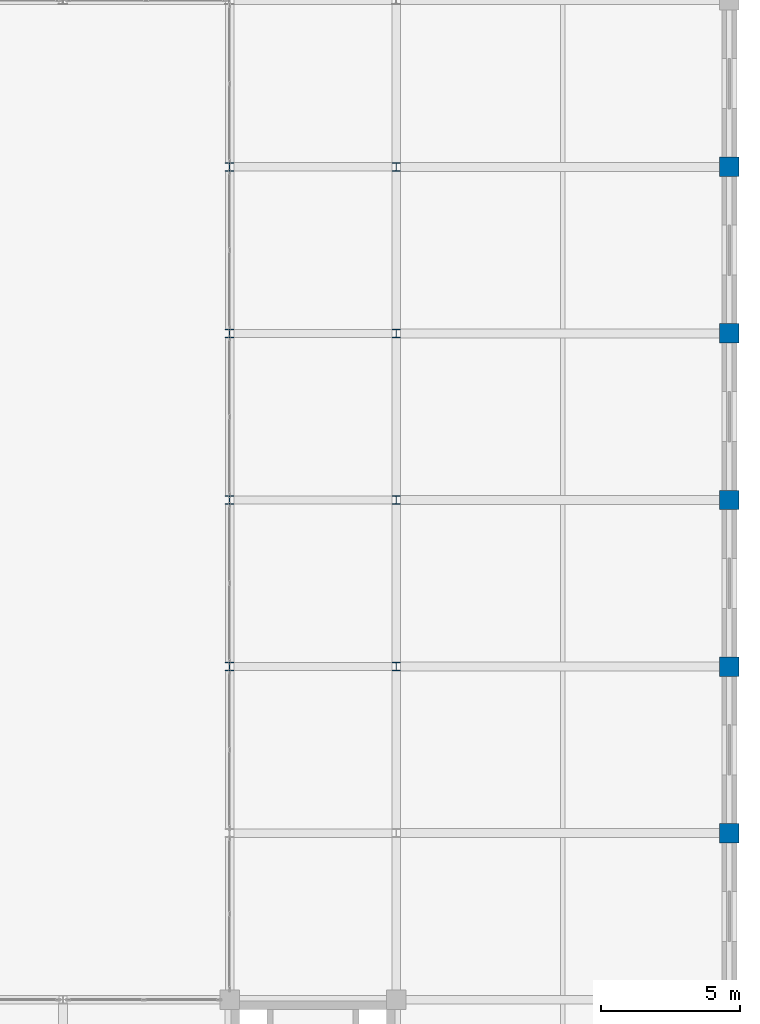
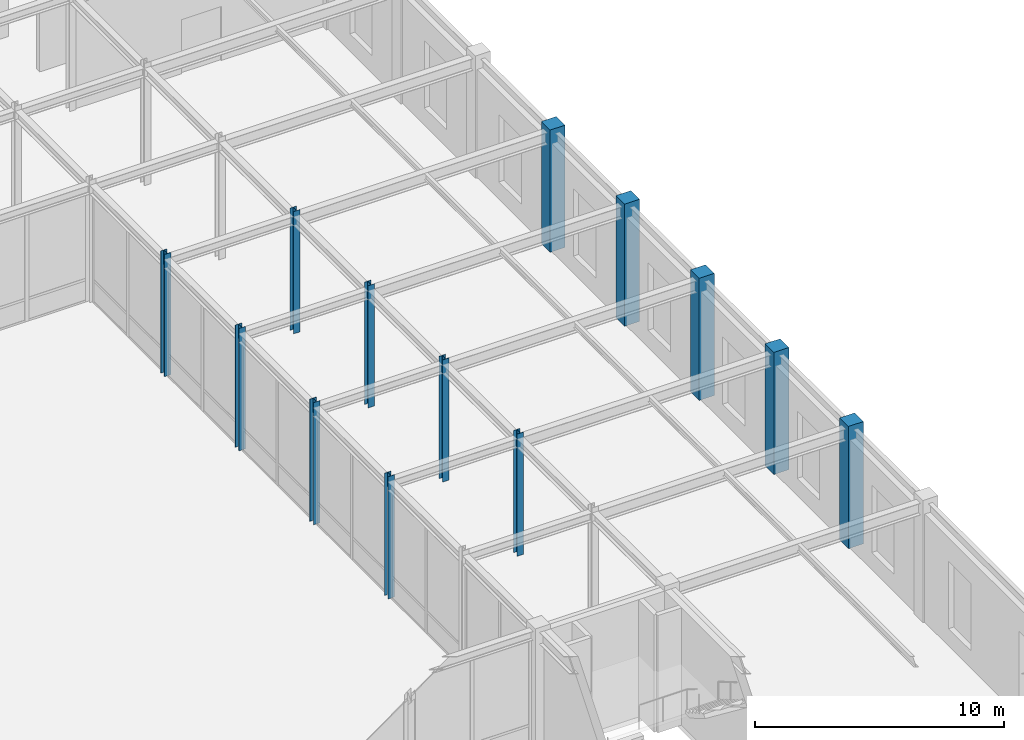
# One storey, part 23 of 108: 13 columns.
"""IFC4 building model written with IfcOpenShell, lengths in metres."""

from ifc_helpers import new_model, si_unit, direction, frame, origin, origin_2d, place, context, subcontext, project, spatial, rectangle, i_section, extrude, material, material_profile, profile_set, type_object, element, save


model = new_model("IFC4")

# Units and contexts
model_context = context("Model", 3, precision=1e-05, world=origin(), true_north=direction((0.0, 1.0)))
body_context = subcontext(model_context, "Body", "Model", "MODEL_VIEW")
ifc_project = project(units=[si_unit("LENGTHUNIT", "METRE"), si_unit("AREAUNIT", "SQUARE_METRE"), si_unit("VOLUMEUNIT", "CUBIC_METRE"), si_unit("PLANEANGLEUNIT", "RADIAN"), si_unit("MASSUNIT", "GRAM", prefix="KILO")], contexts=[model_context])

# Site, building, storey
site_placement = place(None, origin())
site = spatial("IfcSite", under=ifc_project, at=site_placement, CompositionType="ELEMENT")
building_placement = place(site_placement, origin())
building = spatial("IfcBuilding", under=site, at=building_placement, Name="Zlatovratsky Civic Hall", CompositionType="ELEMENT")
storey_placement = place(building_placement, frame((0.0, 0.0, 6.0)))
storey = spatial("IfcBuildingStorey", under=building, at=storey_placement, Name="L02", CompositionType="ELEMENT", Elevation=6.0)

# Columns
ifc_material_1 = material(Name="Concrete C35/45 (B40)", Category="concrete")
ifc_material_profile_1 = material_profile(ifc_material_1, rectangle(XDim=0.699951171875, YDim=0.699951171875, at=origin_2d()), Name="RC 700x700")
ifc_profile_set_1 = profile_set([ifc_material_profile_1], Name="Concrete C35/45 (B40)")
column_type_1 = type_object("IfcColumnType", Name="Col_CorePier_RC700", PredefinedType="COLUMN", material=ifc_profile_set_1)
for number, where, z_axis, x_axis, name in (
    (1, (168.0, 36.0, 0.0), (0.0, 0.0, 1.0), (1.0, 0.0, 0.0), "CL-0920"),
    (2, (168.0, 42.0, 0.0), (0.0, 0.0, 1.0), (1.0, 0.0, 0.0), "CL-0939"),
    (3, (168.0, 48.0, 0.0), (0.0, 0.0, 1.0), (1.0, 0.0, 0.0), "CL-0958"),
    (4, (168.0, 54.0, 0.0), (0.0, 0.0, 1.0), (1.0, 0.0, 0.0), "CL-0972"),
    (5, (168.0, 60.0, 0.0), (0.0, 0.0, 1.0), (1.0, 0.0, 0.0), "CL-0986"),
):
    element("IfcColumn", number, at=place(storey_placement, frame(where, z_axis=z_axis, x_axis=x_axis)), inside=storey, type_object=column_type_1, Name=name, PredefinedType="COLUMN", context=body_context, shape_type="SweptSolid", body=[
        extrude(rectangle(XDim=0.699951171875, YDim=0.699951171875, at=origin_2d()), origin(), (0.0, 0.0, 1.0), 6.0),
    ])
ifc_material_2 = material(Name="Steel S355", Category="steel")
ifc_material_profile_2 = material_profile(ifc_material_2, i_section(OverallWidth=0.300048828125, OverallDepth=0.300048828125, WebThickness=0.010009765625, FlangeThickness=0.014892578125, FilletRadius=0.01806640625, at=origin_2d()), Name="30K2")
ifc_profile_set_2 = profile_set([ifc_material_profile_2], Name="Steel S355")
column_type_2 = type_object("IfcColumnType", Name="Col_Steel_30K2", PredefinedType="COLUMN", material=ifc_profile_set_2)
for number, where, z_axis, x_axis, name in (
    (6, (150.0, 42.0, 0.0), (0.0, 0.0, 1.0), (1.0, 0.0, 0.0), "CL-0937"),
    (7, (156.0, 42.0, 0.0), (0.0, 0.0, 1.0), (1.0, 0.0, 0.0), "CL-0938"),
    (8, (150.0, 48.0, 0.0), (0.0, 0.0, 1.0), (1.0, 0.0, 0.0), "CL-0956"),
    (9, (156.0, 48.0, 0.0), (0.0, 0.0, 1.0), (1.0, 0.0, 0.0), "CL-0957"),
    (10, (150.0, 54.0, 0.0), (0.0, 0.0, 1.0), (1.0, 0.0, 0.0), "CL-0970"),
    (11, (156.0, 54.0, 0.0), (0.0, 0.0, 1.0), (1.0, 0.0, 0.0), "CL-0971"),
    (12, (150.0, 60.0, 0.0), (0.0, 0.0, 1.0), (1.0, 0.0, 0.0), "CL-0984"),
    (13, (156.0, 60.0, 0.0), (0.0, 0.0, 1.0), (1.0, 0.0, 0.0), "CL-0985"),
):
    element("IfcColumn", number, at=place(storey_placement, frame(where, z_axis=z_axis, x_axis=x_axis)), inside=storey, type_object=column_type_2, Name=name, PredefinedType="COLUMN", context=body_context, shape_type="SweptSolid", body=[
        extrude(i_section(OverallWidth=0.300048828125, OverallDepth=0.300048828125, WebThickness=0.010009765625, FlangeThickness=0.014892578125, FilletRadius=0.01806640625, at=origin_2d()), origin(), (0.0, 0.0, 1.0), 6.0),
    ])

save(model, "model.ifc")
